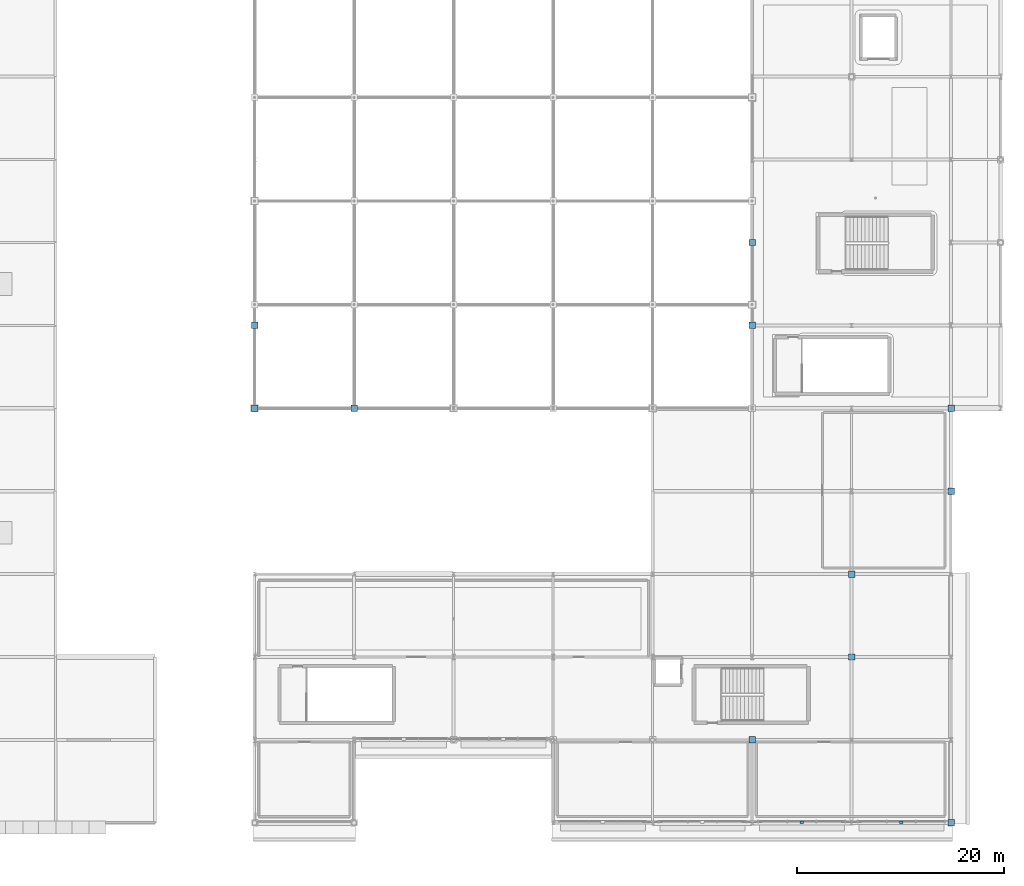
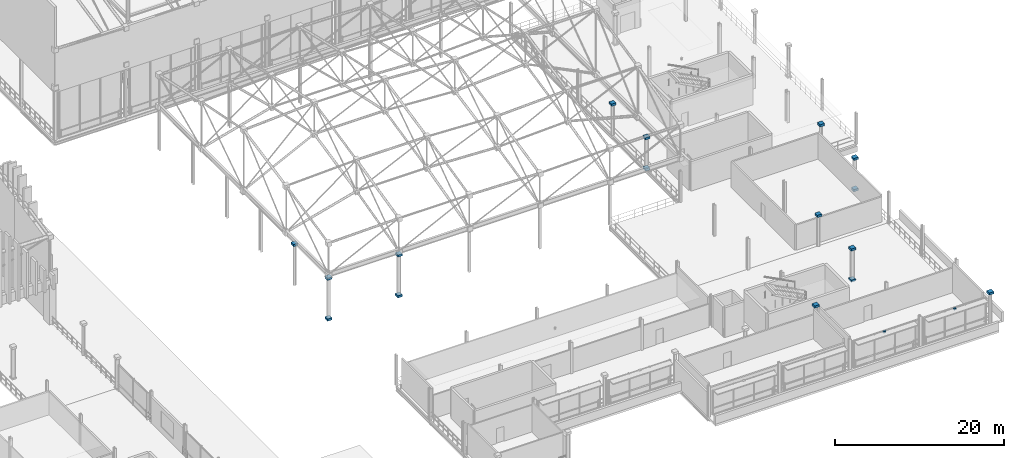
# One storey, part 169 of 193: 18 discrete accessories.
"""IFC4 building model written with IfcOpenShell, lengths in metres."""

from ifc_helpers import new_model, si_unit, direction, frame, origin, origin_2d, place, context, subcontext, project, spatial, rectangle, extrude, material, type_object, element, save


model = new_model("IFC4")

# Units and contexts
model_context = context("Model", 3, precision=1e-05, world=origin(), true_north=direction((0.0, 1.0)))
body_context = subcontext(model_context, "Body", "Model", "MODEL_VIEW")
ifc_project = project(units=[si_unit("LENGTHUNIT", "METRE"), si_unit("AREAUNIT", "SQUARE_METRE"), si_unit("VOLUMEUNIT", "CUBIC_METRE"), si_unit("PLANEANGLEUNIT", "RADIAN"), si_unit("MASSUNIT", "GRAM", prefix="KILO")], contexts=[model_context])

# Site, building, storey
site_placement = place(None, origin())
site = spatial("IfcSite", under=ifc_project, at=site_placement, CompositionType="ELEMENT")
building_placement = place(site_placement, origin())
building = spatial("IfcBuilding", under=site, at=building_placement, Name="Danafjord Basin Convention Centre", CompositionType="ELEMENT")
storey_placement = place(building_placement, frame((0.0, 0.0, 11.39990234375)))
storey = spatial("IfcBuildingStorey", under=building, at=storey_placement, Name="L02", CompositionType="ELEMENT", Elevation=11.39990234375)

# Discrete accessories
ifc_material_1 = material(Name="Stainless steel EN 1.4404", Category="steel")
discrete_accessory_type_1 = type_object("IfcDiscreteAccessoryType", Name="ACC-FIN-BRK", PredefinedType="BRACKET", material=ifc_material_1)
for number, where, z_axis, x_axis, name in (
    (1, (196.800048828125, 0.070068359375, 3.68603515625), (0.0, 0.0, 1.0), (1.0, 0.0, 0.0), "Sunshade tie-back bracket"),
    (2, (206.39990234375, 0.070068359375, 3.63623046875), (0.0, 0.0, 1.0), (1.0, 0.0, 0.0), "Sunshade tie-back bracket"),
):
    element("IfcDiscreteAccessory", number, at=place(storey_placement, frame(where, z_axis=z_axis, x_axis=x_axis)), inside=storey, type_object=discrete_accessory_type_1, Name=name, PredefinedType="BRACKET", context=body_context, shape_type="SweptSolid", body=[
        extrude(rectangle(XDim=0.340087890625, YDim=0.260009765625, at=origin_2d()), origin(), (0.0, 0.0, 1.0), 0.219970703125),
    ])
ifc_material_2 = material(Name="Steel S355", Category="steel")
discrete_accessory_type_2 = type_object("IfcDiscreteAccessoryType", Name="ACC-SF-HUB", PredefinedType="BRACKET", material=ifc_material_2)
for number, where, z_axis, x_axis, name in (
    (3, (144.0, 40.0, -0.16015625), (0.0, 0.0, 1.0), (1.0, 0.0, 0.0), "Tubular steel column transition collar"),
    (4, (144.0, 40.0, 5.740234375), (0.0, 0.0, 1.0), (1.0, 0.0, 0.0), "Tubular steel column top cap plate"),
    (5, (144.0, 48.0, 5.740234375), (0.0, 0.0, 1.0), (1.0, 0.0, 0.0), "Tubular steel column top cap plate"),
    (6, (153.60009765625, 40.0, -0.16015625), (0.0, 0.0, 1.0), (1.0, 0.0, 0.0), "Tubular steel column transition collar"),
    (7, (153.60009765625, 40.0, 5.740234375), (0.0, 0.0, 1.0), (1.0, 0.0, 0.0), "Tubular steel column top cap plate"),
    (8, (192.0, 8.0, 4.33984375), (0.0, 0.0, 1.0), (1.0, 0.0, 0.0), "Tubular steel column top cap plate"),
    (9, (192.0, 48.0, -0.16015625), (0.0, 0.0, 1.0), (1.0, 0.0, 0.0), "Tubular steel column transition collar"),
    (10, (192.0, 48.0, 4.33984375), (0.0, 0.0, 1.0), (1.0, 0.0, 0.0), "Tubular steel column top cap plate"),
    (11, (192.0, 56.0, 4.33984375), (0.0, 0.0, 1.0), (1.0, 0.0, 0.0), "Tubular steel column top cap plate"),
    (12, (201.60009765625, 16.0, -0.16015625), (0.0, 0.0, 1.0), (1.0, 0.0, 0.0), "Tubular steel column transition collar"),
    (13, (201.60009765625, 16.0, 4.33984375), (0.0, 0.0, 1.0), (1.0, 0.0, 0.0), "Tubular steel column top cap plate"),
    (14, (201.60009765625, 24.0, 4.33984375), (0.0, 0.0, 1.0), (1.0, 0.0, 0.0), "Tubular steel column top cap plate"),
    (15, (211.199951171875, 0.0, 4.33984375), (0.0, 0.0, 1.0), (1.0, 0.0, 0.0), "Tubular steel column top cap plate"),
    (16, (211.199951171875, 32.0, -0.16015625), (0.0, 0.0, 1.0), (1.0, 0.0, 0.0), "Tubular steel column transition collar"),
    (17, (211.199951171875, 32.0, 4.33984375), (0.0, 0.0, 1.0), (1.0, 0.0, 0.0), "Tubular steel column top cap plate"),
    (18, (211.199951171875, 40.0, 4.33984375), (0.0, 0.0, 1.0), (1.0, 0.0, 0.0), "Tubular steel column top cap plate"),
):
    element("IfcDiscreteAccessory", number, at=place(storey_placement, frame(where, z_axis=z_axis, x_axis=x_axis)), inside=storey, type_object=discrete_accessory_type_2, Name=name, PredefinedType="BRACKET", context=body_context, shape_type="SweptSolid", body=[
        extrude(rectangle(XDim=0.6201171875, YDim=0.6201171875, at=origin_2d()), origin(), (0.0, 0.0, 1.0), 0.320068359375),
    ])

save(model, "model.ifc")
